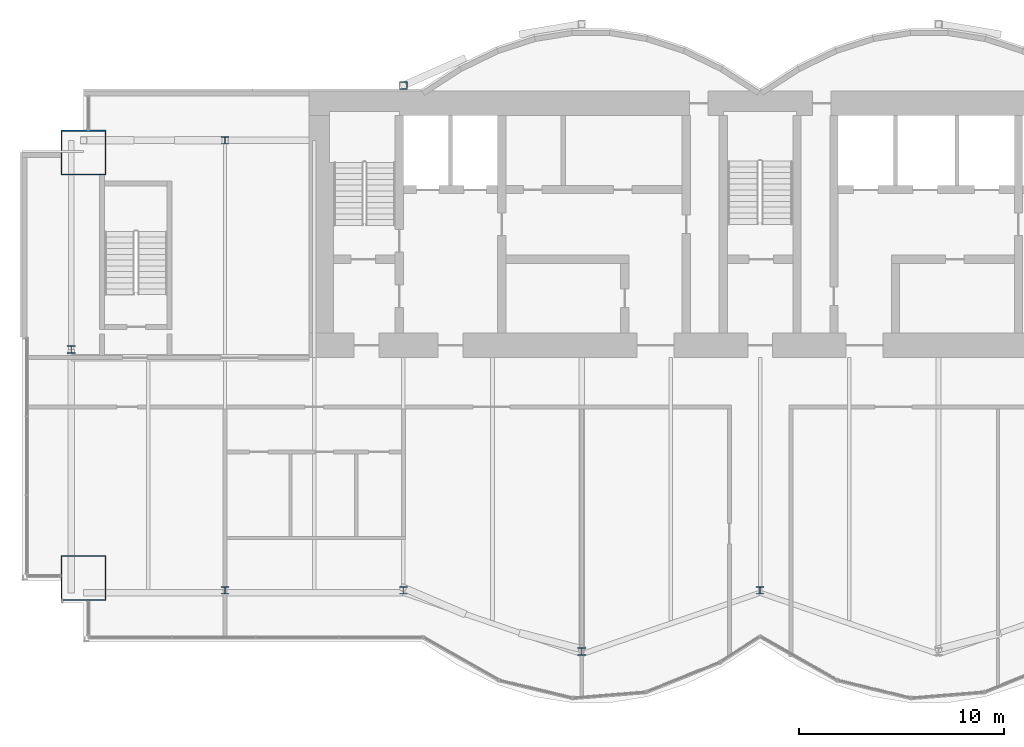
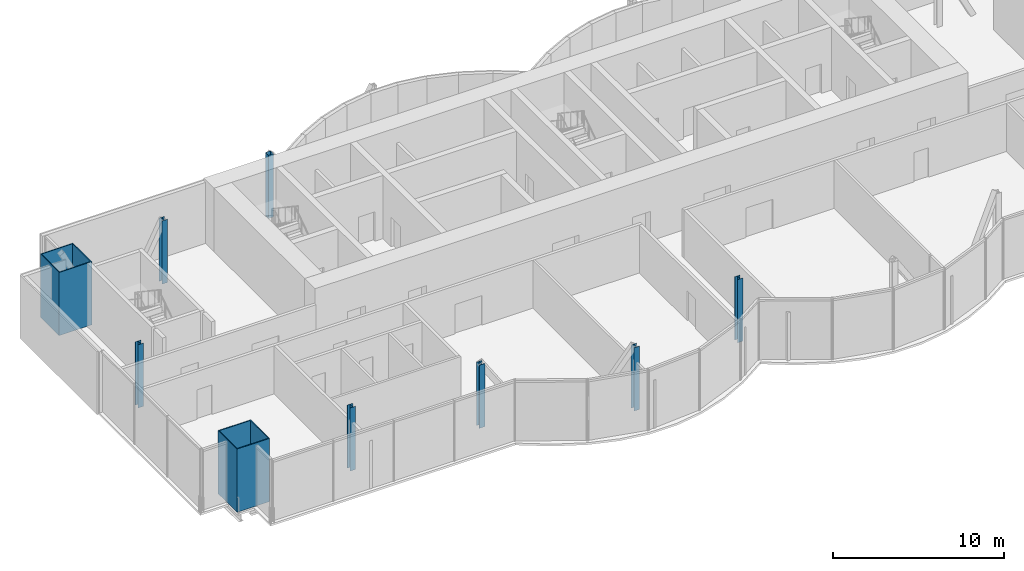
# One storey, part 1 of 18: 9 columns.
"""IFC4 building model written with IfcOpenShell, lengths in metres."""

from ifc_helpers import new_model, si_unit, direction, frame, origin, origin_2d, place, context, subcontext, project, spatial, hollow_rectangle, i_section, extrude, material, material_profile, profile_set, type_object, element, save


model = new_model("IFC4")

# Units and contexts
model_context = context("Model", 3, precision=1e-05, world=origin(), true_north=direction((0.0, 1.0)))
body_context = subcontext(model_context, "Body", "Model", "MODEL_VIEW")
ifc_project = project(units=[si_unit("LENGTHUNIT", "METRE"), si_unit("AREAUNIT", "SQUARE_METRE"), si_unit("VOLUMEUNIT", "CUBIC_METRE"), si_unit("PLANEANGLEUNIT", "RADIAN"), si_unit("MASSUNIT", "GRAM", prefix="KILO")], contexts=[model_context])

# Site, building, storey
site_placement = place(None, origin())
site = spatial("IfcSite", under=ifc_project, at=site_placement, CompositionType="ELEMENT")
building_placement = place(site_placement, origin())
building = spatial("IfcBuilding", under=site, at=building_placement, Name="Bicima Exchange Tower", CompositionType="ELEMENT")
storey_placement = place(building_placement, frame((0.0, 0.0, 302.0)))
storey = spatial("IfcBuildingStorey", under=building, at=storey_placement, Name="L68", CompositionType="ELEMENT", Elevation=302.0)

# Columns
ifc_material_1 = material(Name="Steel ASTM A572 Gr 50", Category="steel")
ifc_material_profile_1 = material_profile(ifc_material_1, hollow_rectangle(XDim=2.199951171875, YDim=2.199951171875, WallThickness=0.06005859375, at=origin_2d()))
ifc_profile_set_1 = profile_set([ifc_material_profile_1], Name="Steel ASTM A572 Gr 50")
column_type_1 = type_object("IfcColumnType", Name="Mega column BOX 2200x2200x60", PredefinedType="COLUMN", material=ifc_profile_set_1)
for number, where, z_axis, x_axis, name in (
    (1, (-33.0, -23.75, 0.0), (0.0, 0.0, 1.0), (1.0, 0.0, 0.0), "Mega column mega-33.0f"),
    (2, (-33.0, -3.0, 0.0), (0.0, 0.0, 1.0), (1.0, 0.0, 0.0), "Mega column mega-33.0r"),
):
    element("IfcColumn", number, at=place(storey_placement, frame(where, z_axis=z_axis, x_axis=x_axis)), inside=storey, type_object=column_type_1, Name=name, PredefinedType="COLUMN", context=body_context, shape_type="SweptSolid", body=[
        extrude(hollow_rectangle(XDim=2.199951171875, YDim=2.199951171875, WallThickness=0.06005859375, at=origin_2d()), origin(), (0.0, 0.0, 1.0), 4.5),
    ])
ifc_material_2 = material(Name="Steel ASTM A992 Gr 50", Category="steel")
ifc_material_profile_2 = material_profile(ifc_material_2, i_section(OverallWidth=0.368408203125, OverallDepth=0.355712890625, WebThickness=0.01123046875, FlangeThickness=0.01806640625, at=origin_2d()))
ifc_profile_set_2 = profile_set([ifc_material_profile_2], Name="Steel ASTM A992 Gr 50")
column_type_2 = type_object("IfcColumnType", Name="Perimeter column W14x90", PredefinedType="COLUMN", material=ifc_profile_set_2)
for number, where, z_axis, x_axis, name in (
    (3, (-26.10009765625, -24.35009765625, 0.0), (0.0, 0.0, 1.0), (1.0, 0.0, 0.0), "Perimeter column grav-26.1f"),
    (4, (-26.10009765625, -2.39990234375, 0.0), (0.0, 0.0, 1.0), (1.0, 0.0, 0.0), "Perimeter column grav-26.1r"),
    (5, (-17.39990234375, -24.35009765625, 0.0), (0.0, 0.0, 1.0), (1.0, 0.0, 0.0), "Perimeter column grav-17.4f"),
    (6, (-8.699951171875, -27.341064453125, 0.0), (0.0, 0.0, 1.0), (1.0, 0.0, 0.0), "Perimeter column grav-8.7f"),
    (7, (0.0, -24.35009765625, 0.0), (0.0, 0.0, 1.0), (1.0, 0.0, 0.0), "Perimeter column grav-0.0f"),
    (8, (-33.60009765625, -12.60009765625, 0.0), (0.0, 0.0, 1.0), (1.0, 0.0, 0.0), "End column end-33.6e"),
):
    element("IfcColumn", number, at=place(storey_placement, frame(where, z_axis=z_axis, x_axis=x_axis)), inside=storey, type_object=column_type_2, Name=name, PredefinedType="COLUMN", context=body_context, shape_type="SweptSolid", body=[
        extrude(i_section(OverallWidth=0.368408203125, OverallDepth=0.355712890625, WebThickness=0.01123046875, FlangeThickness=0.01806640625, at=origin_2d()), origin(), (0.0, 0.0, 1.0), 4.5),
    ])
ifc_material_profile_3 = material_profile(ifc_material_1, hollow_rectangle(XDim=0.355712890625, YDim=0.355712890625, WallThickness=0.01171875, at=origin_2d()))
ifc_profile_set_3 = profile_set([ifc_material_profile_3], Name="Steel ASTM A572 Gr 50")
column_type_3 = type_object("IfcColumnType", Name="Rear pilaster HSS14x14x1/2", PredefinedType="COLUMN", material=ifc_profile_set_3)
column_placement = place(storey_placement, frame((-17.39990234375, 0.278076171875, 0.0), z_axis=(0.0, 0.0, 1.0), x_axis=(1.0, 0.0, 0.0)))
element("IfcColumn", 9, at=column_placement, inside=storey, type_object=column_type_3, Name="Rear pilaster rexo-17.4r", PredefinedType="COLUMN", context=body_context, shape_type="SweptSolid", body=[
    extrude(hollow_rectangle(XDim=0.355712890625, YDim=0.355712890625, WallThickness=0.01171875, at=origin_2d()), origin(), (0.0, 0.0, 1.0), 4.5),
])

save(model, "model.ifc")
